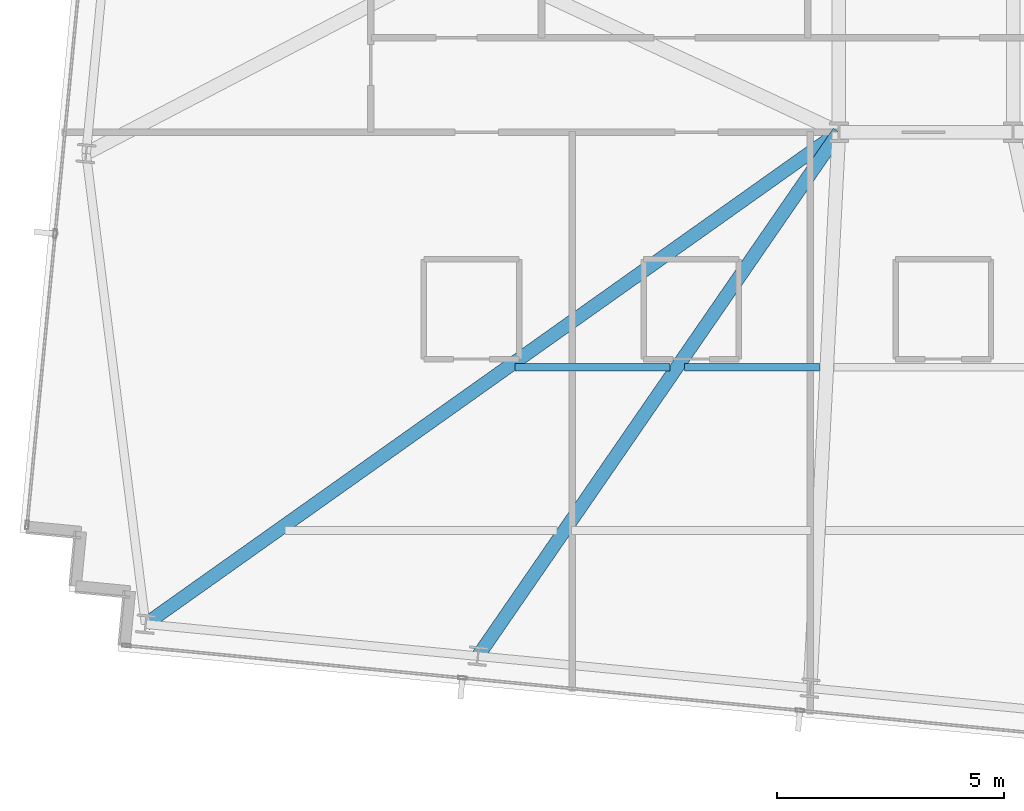
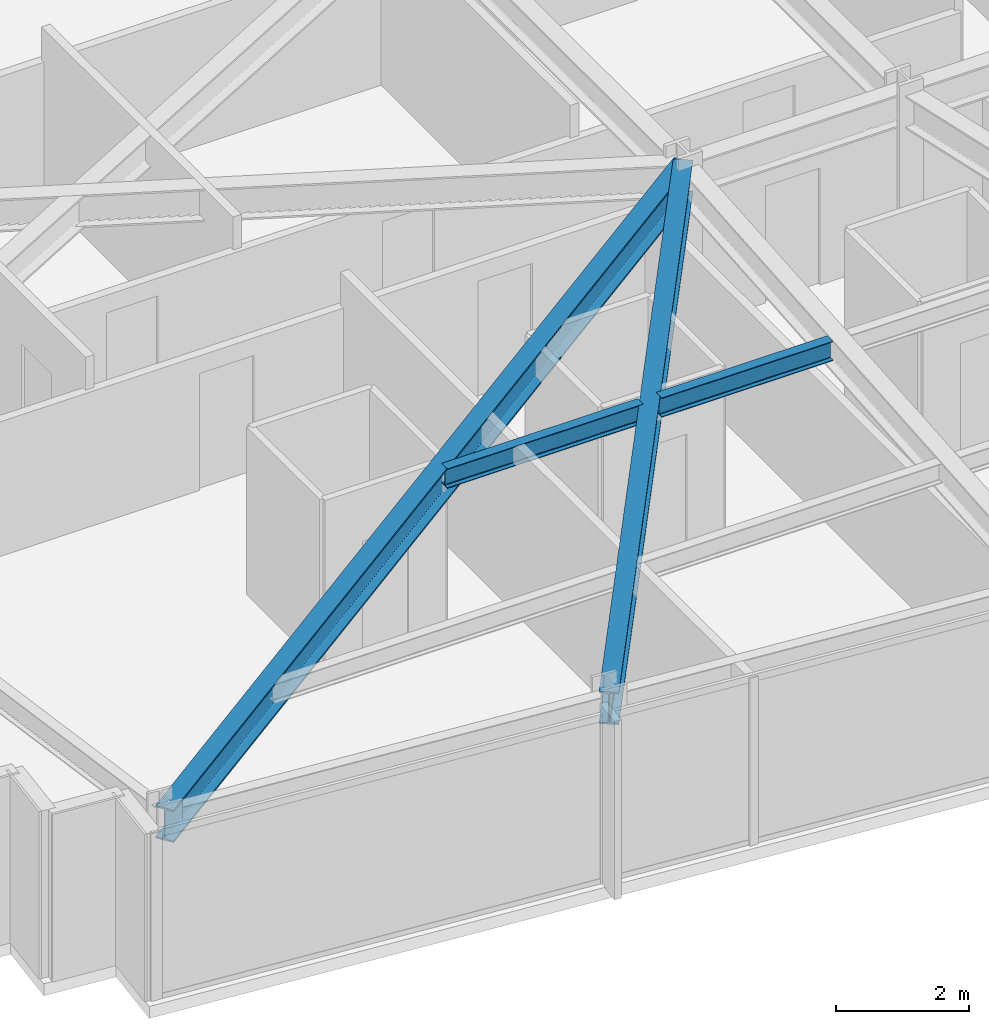
# One storey, part 5 of 38: 4 beams.
"""IFC4 building model written with IfcOpenShell, lengths in metres."""

from ifc_helpers import new_model, si_unit, direction, frame, origin, origin_2d, place, context, subcontext, project, spatial, i_section, extrude, material, material_profile, profile_set, type_object, element, save


model = new_model("IFC4")

# Units and contexts
model_context = context("Model", 3, precision=1e-05, world=origin(), true_north=direction((0.0, 1.0)))
body_context = subcontext(model_context, "Body", "Model", "MODEL_VIEW")
ifc_project = project(units=[si_unit("LENGTHUNIT", "METRE"), si_unit("AREAUNIT", "SQUARE_METRE"), si_unit("VOLUMEUNIT", "CUBIC_METRE"), si_unit("PLANEANGLEUNIT", "RADIAN"), si_unit("MASSUNIT", "GRAM", prefix="KILO")], contexts=[model_context])

# Site, building, storey
site_placement = place(None, origin())
site = spatial("IfcSite", under=ifc_project, at=site_placement, CompositionType="ELEMENT")
building_placement = place(site_placement, origin())
building = spatial("IfcBuilding", under=site, at=building_placement, Name="Yelkora Congress Tower", CompositionType="ELEMENT")
storey_placement = place(building_placement, frame((0.0, 0.0, 155.60009765625)))
storey = spatial("IfcBuildingStorey", under=building, at=storey_placement, Name="L42", CompositionType="ELEMENT", Elevation=155.60009765625)

# Beams
ifc_material = material(Name="Steel S355J2", Category="steel")
ifc_material_profile_1 = material_profile(ifc_material, i_section(OverallWidth=0.300048828125, OverallDepth=0.60009765625, WebThickness=0.015380859375, FlangeThickness=0.030029296875, FilletRadius=0.027099609375, at=origin_2d()), Name="HEB 600")
ifc_profile_set_1 = profile_set([ifc_material_profile_1], Name="Steel S355J2")
beam_type_1 = type_object("IfcBeamType", Name="BM-GIRD-HEB600", PredefinedType="BEAM", material=ifc_profile_set_1)
beam_1_placement = place(storey_placement, frame((3.919189453125, 14.357421875, 2.77978515625), z_axis=(0.815554555366, 0.578680194254, 0.0), x_axis=(-0.578680194254, 0.815554555366, 0.0)))
element("IfcBeam", 1, at=beam_1_placement, inside=storey, type_object=beam_type_1, Name="L42 Primary Frame Girder S01", PredefinedType="BEAM", context=body_context, shape_type="SweptSolid", body=[
    extrude(i_section(OverallWidth=0.300048828125, OverallDepth=0.60009765625, WebThickness=0.015380859375, FlangeThickness=0.030029296875, FilletRadius=0.027099609375, at=origin_2d()), origin(), (0.0, 0.0, 1.0), 18.736572265625),
])
beam_2_placement = place(storey_placement, frame((11.242431640625, 13.652099609375, 2.77978515625), z_axis=(0.567418043278, 0.823429878109, 0.0), x_axis=(-0.823429878109, 0.567418043278, 0.0)))
element("IfcBeam", 2, at=beam_2_placement, inside=storey, type_object=beam_type_1, Name="L42 Primary Frame Girder S02", PredefinedType="BEAM", context=body_context, shape_type="SweptSolid", body=[
    extrude(i_section(OverallWidth=0.300048828125, OverallDepth=0.60009765625, WebThickness=0.015380859375, FlangeThickness=0.030029296875, FilletRadius=0.027099609375, at=origin_2d()), origin(), (0.0, 0.0, 1.0), 14.024169921875),
])
ifc_material_profile_2 = material_profile(ifc_material, i_section(OverallWidth=0.169921875, OverallDepth=0.360107421875, WebThickness=0.008056640625, FlangeThickness=0.0126953125, FilletRadius=0.01806640625, at=origin_2d()), Name="IPE 360")
ifc_profile_set_2 = profile_set([ifc_material_profile_2], Name="Steel S355J2")
beam_type_2 = type_object("IfcBeamType", Name="BM-JOIST-IPE360", PredefinedType="JOIST", material=ifc_profile_set_2)
beam_3_placement = place(storey_placement, frame((12.061279296875, 20.021240234375, 2.89990234375), z_axis=(1.0, 0.0, 0.0), x_axis=(0.0, 1.0, 0.0)))
element("IfcBeam", 3, at=beam_3_placement, inside=storey, type_object=beam_type_2, Name="L42 Composite Floor Joist 12", PredefinedType="JOIST", context=body_context, shape_type="SweptSolid", body=[
    extrude(i_section(OverallWidth=0.169921875, OverallDepth=0.360107421875, WebThickness=0.008056640625, FlangeThickness=0.0126953125, FilletRadius=0.01806640625, at=origin_2d()), origin(), (0.0, 0.0, 1.0), 3.409912109375),
])
beam_4_placement = place(storey_placement, frame((15.791259765625, 20.021240234375, 2.89990234375), z_axis=(1.0, 0.0, 0.0), x_axis=(0.0, 1.0, 0.0)))
element("IfcBeam", 4, at=beam_4_placement, inside=storey, type_object=beam_type_2, Name="L42 Composite Floor Joist 13", PredefinedType="JOIST", context=body_context, shape_type="SweptSolid", body=[
    extrude(i_section(OverallWidth=0.169921875, OverallDepth=0.360107421875, WebThickness=0.008056640625, FlangeThickness=0.0126953125, FilletRadius=0.01806640625, at=origin_2d()), origin(), (0.0, 0.0, 1.0), 2.980712890625),
])

save(model, "model.ifc")
